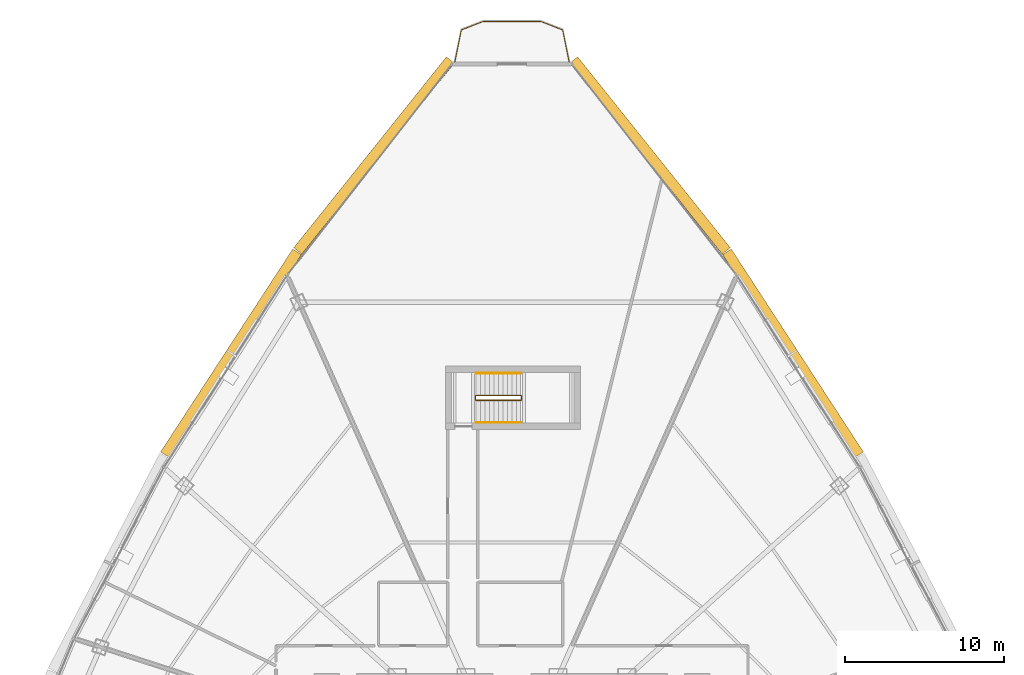
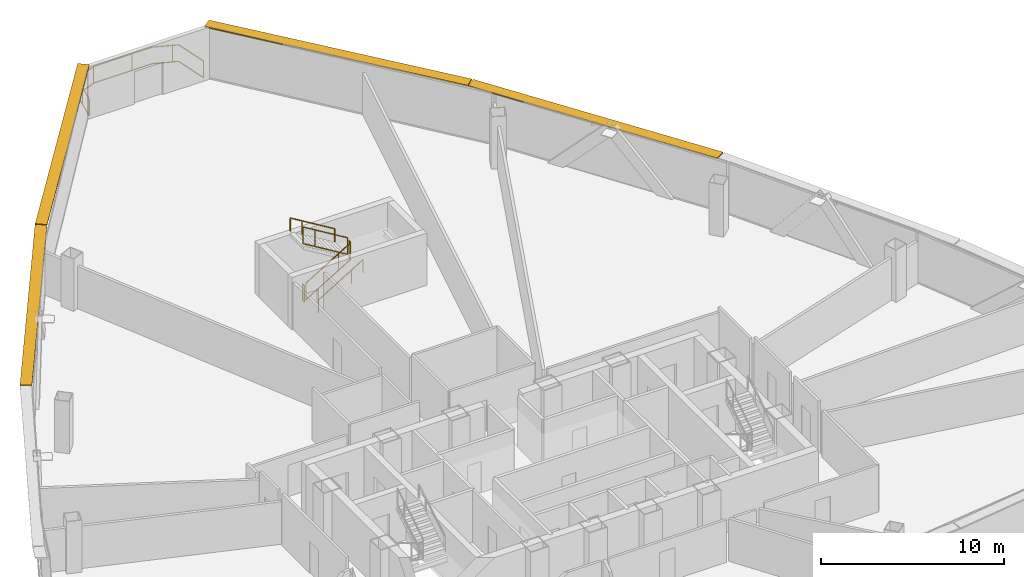
# One storey, part 36 of 37: 7 railings, 4 shading devices.
"""IFC4 building model written with IfcOpenShell, lengths in metres."""

from ifc_helpers import new_model, si_unit, direction, frame, origin, origin_2d, place, context, subcontext, project, spatial, rectangle, extrude, source, transform, mapped, material, layer, layer_set, type_object, element, save


model = new_model("IFC4")

# Units and contexts
model_context = context("Model", 3, precision=1e-05, world=origin(), true_north=direction((0.0, 1.0)))
body_context = subcontext(model_context, "Body", "Model", "MODEL_VIEW")
ifc_project = project(units=[si_unit("LENGTHUNIT", "METRE"), si_unit("AREAUNIT", "SQUARE_METRE"), si_unit("VOLUMEUNIT", "CUBIC_METRE"), si_unit("PLANEANGLEUNIT", "RADIAN"), si_unit("MASSUNIT", "GRAM", prefix="KILO"), si_unit("THERMODYNAMICTEMPERATUREUNIT", "KELVIN"), si_unit("POWERUNIT", "WATT")], contexts=[model_context])

# Site, building, storey
site_placement = place(None, origin())
site = spatial("IfcSite", under=ifc_project, at=site_placement, CompositionType="ELEMENT")
building_placement = place(site_placement, origin())
building = spatial("IfcBuilding", under=site, at=building_placement, Name="Yunzhuo Pagoda Commons", CompositionType="ELEMENT")
storey_placement = place(building_placement, frame((0.0, 0.0, 259.449951171875)))
storey = spatial("IfcBuildingStorey", under=building, at=storey_placement, Name="L65", CompositionType="ELEMENT", Elevation=259.449951171875)

# Railings
ifc_material = material(Name="Anodized aluminium 6063-T6", Category="aluminium")
railing_type_1 = type_object("IfcRailingType", Name="GR-ST3 North Well Guardrail 1155", PredefinedType="GUARDRAIL", material=ifc_material)
railing_1_placement = place(storey_placement, frame((45.75, 57.64990234375, 0.169677734375)))
element("IfcRailing", 1, at=railing_1_placement, inside=storey, type_object=railing_type_1, Name="L65 ST3 stair guard 1", PredefinedType="GUARDRAIL", context=body_context, shape_type="SweptSolid", body=[
    extrude(rectangle(XDim=0.048095703125, YDim=0.048095703125, at=origin_2d()), frame((0.0, 0.0, 1.1259765625), z_axis=(0.855426164822, 0.0, 0.517924778841), x_axis=(0.0, 1.0, 0.0)), (0.0, 0.0, 1.0), 3.273193359375),
    extrude(rectangle(XDim=0.048095703125, YDim=0.048095703125, at=origin_2d()), frame((0.0, 0.0, 0.02392578125), z_axis=(0.855426164822, 0.0, 0.517924778841), x_axis=(0.0, 1.0, 0.0)), (0.0, 0.0, 1.0), 3.273193359375),
    extrude(rectangle(XDim=0.0419921875, YDim=0.0419921875, at=origin_2d()), origin(), (0.0, 0.0, 1.0), 1.101806640625),
    extrude(rectangle(XDim=0.0419921875, YDim=0.0419921875, at=origin_2d()), frame((2.052978515625, 0.0, 1.242919921875)), (0.0, 0.0, 1.0), 1.101806640625),
    extrude(rectangle(XDim=0.0419921875, YDim=0.0419921875, at=origin_2d()), frame((2.800048828125, 0.0, 1.6953125)), (0.0, 0.0, 1.0), 1.101806640625),
])
railing_2_placement = place(storey_placement, frame((48.60009765625, 57.699951171875, 1.864990234375)))
element("IfcRailing", 2, at=railing_2_placement, inside=storey, type_object=railing_type_1, Name="L65 ST3 stair guard 2", PredefinedType="GUARDRAIL", context=body_context, shape_type="SweptSolid", body=[
    extrude(rectangle(XDim=0.048095703125, YDim=0.048095703125, at=origin_2d()), frame((0.0, 0.0, 1.1259765625), z_axis=(0.0, 1.0, 0.0), x_axis=(-1.0, 0.0, 0.0)), (0.0, 0.0, 1.0), 0.199951171875),
    extrude(rectangle(XDim=0.048095703125, YDim=0.048095703125, at=origin_2d()), frame((0.0, 0.0, 0.02392578125), z_axis=(0.0, 1.0, 0.0), x_axis=(-1.0, 0.0, 0.0)), (0.0, 0.0, 1.0), 0.199951171875),
    extrude(rectangle(XDim=0.0419921875, YDim=0.0419921875, at=origin_2d()), origin(), (0.0, 0.0, 1.0), 1.101806640625),
    extrude(rectangle(XDim=0.0419921875, YDim=0.0419921875, at=origin_2d()), frame((0.0, 0.199951171875, 0.0)), (0.0, 0.0, 1.0), 1.101806640625),
])
railing_3_placement = place(storey_placement, frame((48.550048828125, 57.949951171875, 2.03466796875)))
element("IfcRailing", 3, at=railing_3_placement, inside=storey, type_object=railing_type_1, Name="L65 ST3 stair guard 3", PredefinedType="GUARDRAIL", context=body_context, shape_type="SweptSolid", body=[
    extrude(rectangle(XDim=0.048095703125, YDim=0.048095703125, at=origin_2d()), frame((0.0, 0.0, 1.1259765625), z_axis=(-0.855426164822, 0.0, 0.517924778841), x_axis=(0.0, -1.0, 0.0)), (0.0, 0.0, 1.0), 3.273193359375),
    extrude(rectangle(XDim=0.048095703125, YDim=0.048095703125, at=origin_2d()), frame((0.0, 0.0, 0.02392578125), z_axis=(-0.855426164822, 0.0, 0.517924778841), x_axis=(0.0, -1.0, 0.0)), (0.0, 0.0, 1.0), 3.273193359375),
    extrude(rectangle(XDim=0.0419921875, YDim=0.0419921875, at=origin_2d()), origin(), (0.0, 0.0, 1.0), 1.101806640625),
    extrude(rectangle(XDim=0.0419921875, YDim=0.0419921875, at=origin_2d()), frame((-2.052978515625, 0.0, 1.242919921875)), (0.0, 0.0, 1.0), 1.101806640625),
    extrude(rectangle(XDim=0.0419921875, YDim=0.0419921875, at=origin_2d()), frame((-2.800048828125, 0.0, 1.6953125)), (0.0, 0.0, 1.0), 1.101806640625),
])
railing_4_placement = place(storey_placement, frame((45.699951171875, 57.699951171875, 0.0)))
element("IfcRailing", 4, at=railing_4_placement, inside=storey, type_object=railing_type_1, Name="L65 ST3 stair guard 4", PredefinedType="GUARDRAIL", context=body_context, shape_type="SweptSolid", body=[
    extrude(rectangle(XDim=0.048095703125, YDim=0.048095703125, at=origin_2d()), frame((0.0, 0.0, 1.1259765625), z_axis=(0.0, 1.0, 0.0), x_axis=(-1.0, 0.0, 0.0)), (0.0, 0.0, 1.0), 0.199951171875),
    extrude(rectangle(XDim=0.048095703125, YDim=0.048095703125, at=origin_2d()), frame((0.0, 0.0, 0.02392578125), z_axis=(0.0, 1.0, 0.0), x_axis=(-1.0, 0.0, 0.0)), (0.0, 0.0, 1.0), 0.199951171875),
    extrude(rectangle(XDim=0.0419921875, YDim=0.0419921875, at=origin_2d()), origin(), (0.0, 0.0, 1.0), 1.101806640625),
    extrude(rectangle(XDim=0.0419921875, YDim=0.0419921875, at=origin_2d()), frame((0.0, 0.199951171875, 0.0)), (0.0, 0.0, 1.0), 1.101806640625),
])
railing_type_2 = type_object("IfcRailingType", Name="HR-ST3 North Stair Handrail 900", PredefinedType="HANDRAIL", material=ifc_material)
railing_5_placement = place(storey_placement, frame((45.75, 56.25, 0.169677734375)))
element("IfcRailing", 5, at=railing_5_placement, inside=storey, type_object=railing_type_2, Name="L65 ST3 stair handrail 1", PredefinedType="HANDRAIL", context=body_context, shape_type="SweptSolid", body=[
    extrude(rectangle(XDim=0.048095703125, YDim=0.048095703125, at=origin_2d()), frame((0.0, 0.0, 0.8759765625), z_axis=(0.855426164822, 0.0, 0.517924778841), x_axis=(0.0, 1.0, 0.0)), (0.0, 0.0, 1.0), 3.273193359375),
    extrude(rectangle(XDim=0.0419921875, YDim=0.0419921875, at=origin_2d()), origin(), (0.0, 0.0, 1.0), 0.851806640625),
    extrude(rectangle(XDim=0.0419921875, YDim=0.0419921875, at=origin_2d()), frame((2.052978515625, 0.0, 1.242919921875)), (0.0, 0.0, 1.0), 0.851806640625),
    extrude(rectangle(XDim=0.0419921875, YDim=0.0419921875, at=origin_2d()), frame((2.800048828125, 0.0, 1.6953125)), (0.0, 0.0, 1.0), 0.851806640625),
])
railing_6_placement = place(storey_placement, frame((48.550048828125, 59.35009765625, 2.03466796875)))
element("IfcRailing", 6, at=railing_6_placement, inside=storey, type_object=railing_type_2, Name="L65 ST3 stair handrail 2", PredefinedType="HANDRAIL", context=body_context, shape_type="SweptSolid", body=[
    extrude(rectangle(XDim=0.048095703125, YDim=0.048095703125, at=origin_2d()), frame((0.0, 0.0, 0.8759765625), z_axis=(-0.855426164822, 0.0, 0.517924778841), x_axis=(0.0, -1.0, 0.0)), (0.0, 0.0, 1.0), 3.273193359375),
    extrude(rectangle(XDim=0.0419921875, YDim=0.0419921875, at=origin_2d()), origin(), (0.0, 0.0, 1.0), 0.851806640625),
    extrude(rectangle(XDim=0.0419921875, YDim=0.0419921875, at=origin_2d()), frame((-2.052978515625, 0.0, 1.242919921875)), (0.0, 0.0, 1.0), 0.851806640625),
    extrude(rectangle(XDim=0.0419921875, YDim=0.0419921875, at=origin_2d()), frame((-2.800048828125, 0.0, 1.6953125)), (0.0, 0.0, 1.0), 0.851806640625),
])
railing_type_3 = type_object("IfcRailingType", Name="RL-BAL1 Exterior Terrace & Balcony Balustrade 1150", PredefinedType="BALUSTRADE", material=ifc_material)
railing_7_placement = place(storey_placement, frame((51.596435546875, 78.92724609375, 0.0)))
element("IfcRailing", 7, at=railing_7_placement, inside=storey, type_object=railing_type_3, Name="L65 corner balcony balustrade V3", PredefinedType="BALUSTRADE", context=body_context, shape_type="SweptSolid", body=[
    extrude(rectangle(XDim=0.048095703125, YDim=0.048095703125, at=origin_2d()), frame((0.0, 0.0, 1.1259765625), z_axis=(-0.194314652384, 0.980939251875, 0.0), x_axis=(-0.980939251875, -0.194314652384, 0.0)), (0.0, 0.0, 1.0), 2.059326171875),
    extrude(rectangle(XDim=0.048095703125, YDim=0.048095703125, at=origin_2d()), frame((0.0, 0.0, 0.02392578125), z_axis=(-0.194314652384, 0.980939251875, 0.0), x_axis=(-0.980939251875, -0.194314652384, 0.0)), (0.0, 0.0, 1.0), 2.059326171875),
    extrude(rectangle(XDim=0.048095703125, YDim=0.048095703125, at=origin_2d()), frame((-0.400146484375, 2.02001953125, 1.1259765625), z_axis=(-0.931573469696, 0.363553119308, 0.0), x_axis=(-0.363553119308, -0.931573469696, 0.0)), (0.0, 0.0, 1.0), 1.4580078125),
    extrude(rectangle(XDim=0.048095703125, YDim=0.048095703125, at=origin_2d()), frame((-0.400146484375, 2.02001953125, 0.02392578125), z_axis=(-0.931573469696, 0.363553119308, 0.0), x_axis=(-0.363553119308, -0.931573469696, 0.0)), (0.0, 0.0, 1.0), 1.4580078125),
    extrude(rectangle(XDim=0.048095703125, YDim=0.048095703125, at=origin_2d()), frame((-1.75830078125, 2.550048828125, 1.1259765625), z_axis=(-1.0, 0.0, 0.0), x_axis=(0.0, -1.0, 0.0)), (0.0, 0.0, 1.0), 3.67626953125),
    extrude(rectangle(XDim=0.048095703125, YDim=0.048095703125, at=origin_2d()), frame((-1.75830078125, 2.550048828125, 0.02392578125), z_axis=(-1.0, 0.0, 0.0), x_axis=(0.0, -1.0, 0.0)), (0.0, 0.0, 1.0), 3.67626953125),
    extrude(rectangle(XDim=0.048095703125, YDim=0.048095703125, at=origin_2d()), frame((-5.4345703125, 2.550048828125, 1.1259765625), z_axis=(-0.931573469696, -0.363553119308, 0.0), x_axis=(0.363553119308, -0.931573469696, 0.0)), (0.0, 0.0, 1.0), 1.4580078125),
    extrude(rectangle(XDim=0.048095703125, YDim=0.048095703125, at=origin_2d()), frame((-5.4345703125, 2.550048828125, 0.02392578125), z_axis=(-0.931573469696, -0.363553119308, 0.0), x_axis=(0.363553119308, -0.931573469696, 0.0)), (0.0, 0.0, 1.0), 1.4580078125),
    extrude(rectangle(XDim=0.048095703125, YDim=0.048095703125, at=origin_2d()), frame((-6.792724609375, 2.02001953125, 1.1259765625), z_axis=(-0.194314652384, -0.980939251875, 0.0), x_axis=(0.980939251875, -0.194314652384, 0.0)), (0.0, 0.0, 1.0), 2.059326171875),
    extrude(rectangle(XDim=0.048095703125, YDim=0.048095703125, at=origin_2d()), frame((-6.792724609375, 2.02001953125, 0.02392578125), z_axis=(-0.194314652384, -0.980939251875, 0.0), x_axis=(0.980939251875, -0.194314652384, 0.0)), (0.0, 0.0, 1.0), 2.059326171875),
    extrude(rectangle(XDim=0.0419921875, YDim=0.0419921875, at=origin_2d()), origin(), (0.0, 0.0, 1.0), 1.101806640625),
    extrude(rectangle(XDim=0.0419921875, YDim=0.0419921875, at=origin_2d()), frame((-0.717529296875, 2.143798828125, 0.0)), (0.0, 0.0, 1.0), 1.101806640625),
    extrude(rectangle(XDim=0.0419921875, YDim=0.0419921875, at=origin_2d()), frame((-3.041015625, 2.550048828125, 0.0)), (0.0, 0.0, 1.0), 1.101806640625),
    extrude(rectangle(XDim=0.0419921875, YDim=0.0419921875, at=origin_2d()), frame((-5.440673828125, 2.547607421875, 0.0)), (0.0, 0.0, 1.0), 1.101806640625),
    extrude(rectangle(XDim=0.0419921875, YDim=0.0419921875, at=origin_2d()), frame((-6.97705078125, 1.08935546875, 0.0)), (0.0, 0.0, 1.0), 1.101806640625),
    extrude(rectangle(XDim=0.0419921875, YDim=0.0419921875, at=origin_2d()), frame((-7.19287109375, 0.0, 0.0)), (0.0, 0.0, 1.0), 1.101806640625),
])

# Shading devices
ifc_layer = layer(ifc_material, 0.080078125)
ifc_layer_set = layer_set([ifc_layer], Name="Anodized aluminium 6063-T6")
shading_device_type = type_object("IfcShadingDeviceType", Name="SH-SUN1 Pagoda Horizontal Sunshade Eave 650", PredefinedType="USERDEFINED", material=ifc_layer_set)
shared_shape_1 = source(origin(), body_context, "Body", "SweptSolid", [
    extrude(rectangle(XDim=15.388671875, YDim=0.64990234375, at=origin_2d()), origin(), (0.0, 0.0, 1.0), 0.080078125),
])
for number, where, z_axis, x_axis, name in (
    (8, (56.681640625, 73.052001953125, 3.389892578125), (0.0, 0.0, 1.0), (-0.624520471688, 0.781008438138, 0.0), "L65 horizontal pagoda sunshade eave F2.4"),
    (9, (39.318359375, 73.052001953125, 3.389892578125), (0.0, 0.0, 1.0), (-0.624520471688, -0.781008438138, 0.0), "L65 horizontal pagoda sunshade eave F3.1"),
):
    element("IfcShadingDevice", number, at=place(storey_placement, frame(where, z_axis=z_axis, x_axis=x_axis)), inside=storey, type_object=shading_device_type, Name=name, ObjectType="SUNSHADE", PredefinedType="USERDEFINED", context=body_context, shape_type="MappedRepresentation", body=[
        mapped(shared_shape_1, transform((0.0, 0.0, 0.0), scale=1.0)),
    ])
shared_shape_2 = source(origin(), body_context, "Body", "SweptSolid", [
    extrude(rectangle(XDim=15.242431640625, YDim=0.64990234375, at=origin_2d()), origin(), (0.0, 0.0, 1.0), 0.080078125),
])
for number, where, z_axis, x_axis, name in (
    (10, (65.683837890625, 60.605712890625, 3.389892578125), (0.0, 0.0, 1.0), (-0.545838756973, 0.837890238269, 0.0), "L65 horizontal pagoda sunshade eave F2.3"),
    (11, (30.316162109375, 60.605712890625, 3.389892578125), (0.0, 0.0, 1.0), (-0.545838756973, -0.837890238269, 0.0), "L65 horizontal pagoda sunshade eave F3.2"),
):
    element("IfcShadingDevice", number, at=place(storey_placement, frame(where, z_axis=z_axis, x_axis=x_axis)), inside=storey, type_object=shading_device_type, Name=name, ObjectType="SUNSHADE", PredefinedType="USERDEFINED", context=body_context, shape_type="MappedRepresentation", body=[
        mapped(shared_shape_2, transform((0.0, 0.0, 0.0), scale=1.0)),
    ])

save(model, "model.ifc")
